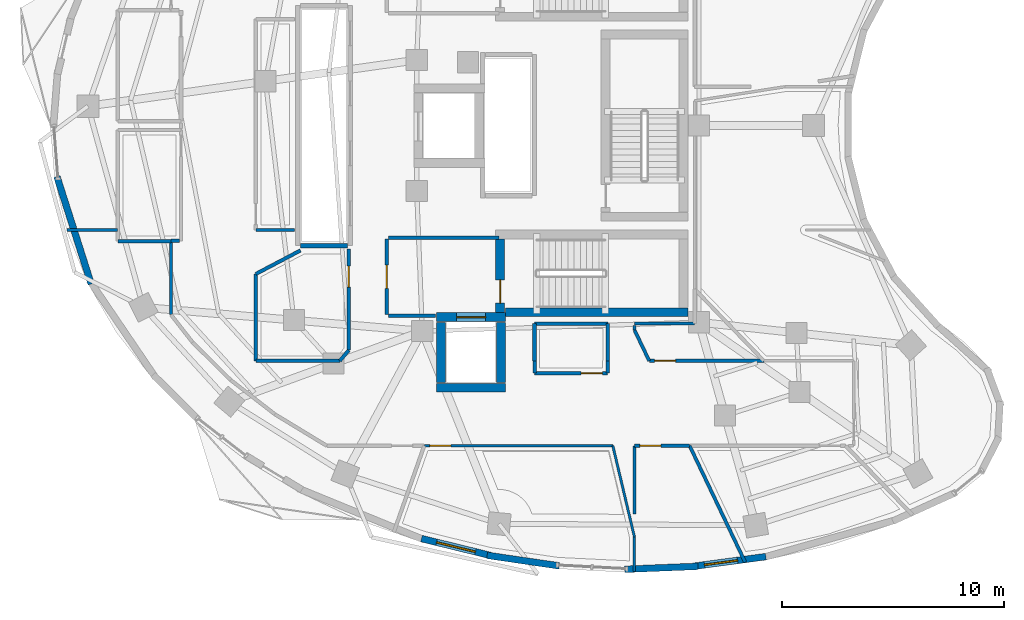
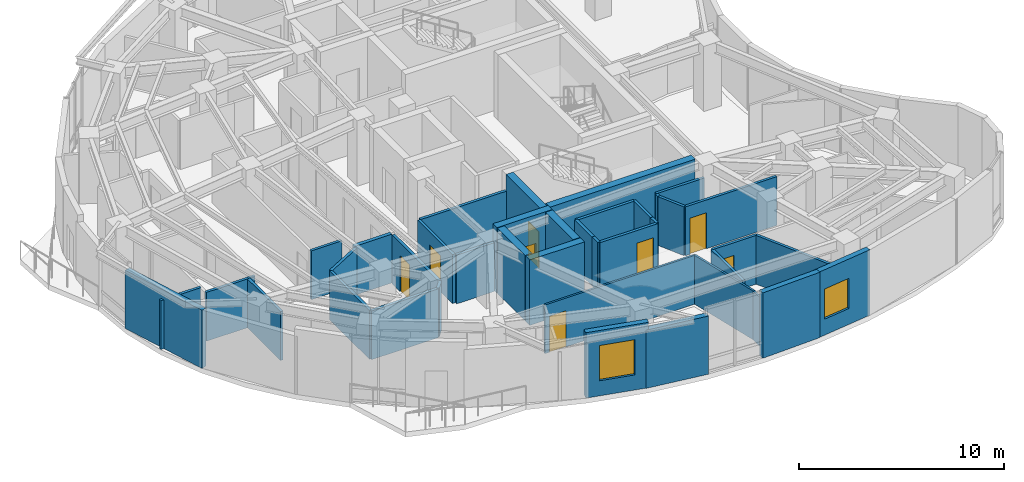
# One storey, part 7 of 13: 41 walls, 8 doors, 2 windows, 10 openings.
"""IFC4 building model written with IfcOpenShell, lengths in metres."""

from ifc_helpers import new_model, si_unit, direction, frame, frame_2d, origin, place, context, subcontext, project, spatial, rectangle, extrude, material, layer, layer_set, type_object, element, fill, save


model = new_model("IFC4")

# Units and contexts
model_context = context("Model", 3, precision=1e-05, world=origin(), true_north=direction((0.0, 1.0)))
body_context = subcontext(model_context, "Body", "Model", "MODEL_VIEW")
ifc_project = project(units=[si_unit("LENGTHUNIT", "METRE"), si_unit("AREAUNIT", "SQUARE_METRE"), si_unit("VOLUMEUNIT", "CUBIC_METRE"), si_unit("PLANEANGLEUNIT", "RADIAN"), si_unit("MASSUNIT", "GRAM", prefix="KILO")], contexts=[model_context])

# Site, building, storey
site_placement = place(None, origin())
site = spatial("IfcSite", under=ifc_project, at=site_placement, CompositionType="ELEMENT")
building_placement = place(site_placement, origin())
building = spatial("IfcBuilding", under=site, at=building_placement, Name="Korentha Bioscience Tower", CompositionType="ELEMENT")
storey_placement = place(building_placement, frame((0.0, 0.0, 204.60009765625)))
storey = spatial("IfcBuildingStorey", under=building, at=storey_placement, Name="L47", CompositionType="ELEMENT", Elevation=204.60009765625)

# Wall, opening, door
ifc_material_1 = material(Name="Double-Stud Acoustic Gypsum", Category="gypsum")
ifc_layer_1 = layer(ifc_material_1, 0.14990234375, Name="Double-Stud Acoustic Gypsum")
ifc_layer_set_1 = layer_set([ifc_layer_1], Name="Double-Stud Acoustic Gypsum (IW-L150)")
wall_type_1 = type_object("IfcWallType", Name="Acoustic Laboratory Partition Wall 150", PredefinedType="PARTITIONING", material=ifc_layer_set_1)
wall_1_placement = place(storey_placement, frame((34.652099609375, 12.590087890625, 0.0), z_axis=(0.0, 0.0, 1.0), x_axis=(1.0, 0.0, 0.0)))
wall_1 = element("IfcWall", 1, at=wall_1_placement, inside=storey, type_object=wall_type_1, Name="L47 Research Colloquium Seminar Room 04 Entrance Wall", PredefinedType="PARTITIONING", context=body_context, shape_type="SweptSolid", body=[
    extrude(rectangle(XDim=2.480224609375, YDim=0.14990234375, at=frame_2d((1.240234375, 0.0))), origin(), (0.0, 0.0, 1.0), 2.909912109375),
])
opening_1_placement = place(wall_1_placement, frame((0.239990234375, 0.0, 0.0)))
opening_1 = element("IfcOpeningElement", 2, at=opening_1_placement, cuts=wall_1, Name="Opening ID-10L", PredefinedType="OPENING", context=body_context, shape_type="SweptSolid", body=[
    extrude(rectangle(XDim=0.949951171875, YDim=2.14990234375, at=frame_2d((0.47509765625, 1.074951171875))), frame((0.0, 0.08984375, 0.0), z_axis=(0.0, -1.0, 0.0), x_axis=(1.0, 0.0, 0.0)), (0.0, 0.0, 1.0), 0.1796875),
])
ifc_material_2 = material(Name="Phenolic Laminate Timber Core", Category="wood")
door_type_1 = type_object("IfcDoorType", Name="Laboratory Single Leaf Door 950x2150 Left", OperationType="SINGLE_SWING_LEFT", PredefinedType="DOOR", material=ifc_material_2)
door_1_placement = place(opening_1_placement, origin())
door_1 = element("IfcDoor", 3, at=door_1_placement, inside=storey, type_object=door_type_1, Name="L47 Research Colloquium Seminar Room 04 Door", OperationType="SINGLE_SWING_LEFT", OverallHeight=2.14990234375, OverallWidth=0.949951171875, PredefinedType="DOOR", context=body_context, shape_type="SweptSolid", body=[
    extrude(rectangle(XDim=0.949951171875, YDim=2.14990234375, at=frame_2d((0.47509765625, 1.074951171875))), frame((0.0, 0.02490234375, 0.0), z_axis=(0.0, -1.0, 0.0), x_axis=(1.0, 0.0, 0.0)), (0.0, 0.0, 1.0), 0.050048828125),
])
fill(opening_1, door_1)

wall_2_placement = place(storey_placement, frame((40.47216796875, 16.409912109375, 0.0), z_axis=(0.0, 0.0, 1.0), x_axis=(-1.0, 0.0, 0.0)))
wall_2 = element("IfcWall", 4, at=wall_2_placement, inside=storey, type_object=wall_type_1, Name="L47 Computational Biology Open Studio 06 Entrance Wall", PredefinedType="PARTITIONING", context=body_context, shape_type="SweptSolid", body=[
    extrude(rectangle(XDim=5.157470703125, YDim=0.14990234375, at=frame_2d((2.57861328125, 0.0))), origin(), (0.0, 0.0, 1.0), 2.909912109375),
])
opening_2_placement = place(wall_2_placement, frame((3.967529296875, 0.0, 0.0)))
opening_2 = element("IfcOpeningElement", 5, at=opening_2_placement, cuts=wall_2, Name="Opening ID-10L", PredefinedType="OPENING", context=body_context, shape_type="SweptSolid", body=[
    extrude(rectangle(XDim=0.949951171875, YDim=2.14990234375, at=frame_2d((0.47509765625, 1.074951171875))), frame((0.0, 0.08984375, 0.0), z_axis=(0.0, -1.0, 0.0), x_axis=(1.0, 0.0, 0.0)), (0.0, 0.0, 1.0), 0.1796875),
])
door_2_placement = place(opening_2_placement, origin())
door_2 = element("IfcDoor", 6, at=door_2_placement, inside=storey, type_object=door_type_1, Name="L47 Computational Biology Open Studio 06 Door", OperationType="SINGLE_SWING_LEFT", OverallHeight=2.14990234375, OverallWidth=0.949951171875, PredefinedType="DOOR", context=body_context, shape_type="SweptSolid", body=[
    extrude(rectangle(XDim=0.949951171875, YDim=2.14990234375, at=frame_2d((0.47509765625, 1.074951171875))), frame((0.0, 0.02490234375, 0.0), z_axis=(0.0, -1.0, 0.0), x_axis=(1.0, 0.0, 0.0)), (0.0, 0.0, 1.0), 0.050048828125),
])
fill(opening_2, door_2)

# Walls
wall_3_placement = place(storey_placement, frame((14.162109375, 21.81005859375, 0.0), z_axis=(0.0, 0.0, 1.0), x_axis=(-1.0, 0.0, 0.0)))
element("IfcWall", 7, at=wall_3_placement, inside=storey, type_object=wall_type_1, Name="L47 Interior Partition 025", PredefinedType="PARTITIONING", context=body_context, shape_type="SweptSolid", body=[
    extrude(rectangle(XDim=0.362060546875, YDim=0.14990234375, at=frame_2d((0.18115234375, 0.0))), origin(), (0.0, 0.0, 1.0), 2.909912109375),
])
wall_4_placement = place(storey_placement, frame((13.7900390625, 21.800048828125, 0.0), z_axis=(0.0, 0.0, 1.0), x_axis=(-1.0, 0.0, 0.0)))
element("IfcWall", 8, at=wall_4_placement, inside=storey, type_object=wall_type_1, Name="L47 Interior Partition 026", PredefinedType="PARTITIONING", context=body_context, shape_type="SweptSolid", body=[
    extrude(rectangle(XDim=2.39013671875, YDim=0.14990234375, at=frame_2d((1.195068359375, 0.0))), origin(), (0.0, 0.0, 1.0), 2.909912109375),
])
wall_5_placement = place(storey_placement, frame((9.11865234375, 22.298095703125, 0.0), z_axis=(0.0, 0.0, 1.0), x_axis=(1.0, 0.0, 0.0)))
element("IfcWall", 9, at=wall_5_placement, inside=storey, type_object=wall_type_1, Name="L47 Interior Partition 037", PredefinedType="PARTITIONING", context=body_context, shape_type="SweptSolid", body=[
    extrude(rectangle(XDim=2.271240234375, YDim=0.14990234375, at=frame_2d((1.1357421875, 0.0))), origin(), (0.0, 0.0, 1.0), 2.909912109375),
])
wall_6_placement = place(storey_placement, frame((13.7900390625, 21.7900390625, 0.0), z_axis=(0.0, 0.0, 1.0), x_axis=(0.0, -1.0, 0.0)))
element("IfcWall", 10, at=wall_6_placement, inside=storey, type_object=wall_type_1, Name="L47 Interior Partition 038", PredefinedType="PARTITIONING", context=body_context, shape_type="SweptSolid", body=[
    extrude(rectangle(XDim=3.2978515625, YDim=0.14990234375, at=frame_2d((1.64892578125, 0.0))), origin(), (0.0, 0.0, 1.0), 2.909912109375),
])
wall_7_placement = place(storey_placement, frame((34.652099609375, 9.510498046875, 0.0), z_axis=(0.0, 0.0, 1.0), x_axis=(0.0, 1.0, 0.0)))
element("IfcWall", 11, at=wall_7_placement, inside=storey, type_object=wall_type_1, Name="L47 Interior Partition 047", PredefinedType="PARTITIONING", context=body_context, shape_type="SweptSolid", body=[
    extrude(rectangle(XDim=3.07958984375, YDim=0.14990234375, at=frame_2d((1.539794921875, 0.0))), origin(), (0.0, 0.0, 1.0), 2.909912109375),
])
wall_8_placement = place(storey_placement, frame((37.13232421875, 12.590087890625, 0.0), z_axis=(0.0, 0.0, 1.0), x_axis=(0.430506245384, -0.902587598344, 0.0)))
element("IfcWall", 12, at=wall_8_placement, inside=storey, type_object=wall_type_1, Name="L47 Interior Partition 048", PredefinedType="PARTITIONING", context=body_context, shape_type="SweptSolid", body=[
    extrude(rectangle(XDim=5.8076171875, YDim=0.14990234375, at=frame_2d((2.90380859375, 0.0))), origin(), (0.0, 0.0, 1.0), 2.909912109375),
])
wall_9_placement = place(storey_placement, frame((34.652099609375, 17.79931640625, 0.0), z_axis=(0.0, 0.0, 1.0), x_axis=(0.0, 1.0, 0.0)))
element("IfcWall", 13, at=wall_9_placement, inside=storey, type_object=wall_type_1, Name="L47 Interior Partition 050", PredefinedType="PARTITIONING", context=body_context, shape_type="SweptSolid", body=[
    extrude(rectangle(XDim=0.212646484375, YDim=0.14990234375, at=frame_2d((0.1064453125, 0.0))), origin(), (0.0, 0.0, 1.0), 2.909912109375),
])
wall_10_placement = place(storey_placement, frame((34.652099609375, 18.090087890625, 0.0), z_axis=(0.0, 0.0, 1.0), x_axis=(1.0, 0.0, 0.0)))
element("IfcWall", 14, at=wall_10_placement, inside=storey, type_object=wall_type_1, Name="L47 Interior Partition 051", PredefinedType="PARTITIONING", context=body_context, shape_type="SweptSolid", body=[
    extrude(rectangle(XDim=2.697998046875, YDim=0.14990234375, at=frame_2d((1.34912109375, 0.0))), origin(), (0.0, 0.0, 1.0), 2.909912109375),
])
wall_11_placement = place(storey_placement, frame((35.314697265625, 16.409912109375, 0.0), z_axis=(0.0, 0.0, 1.0), x_axis=(-0.430450657863, 0.902614109764, 0.0)))
element("IfcWall", 15, at=wall_11_placement, inside=storey, type_object=wall_type_1, Name="L47 Interior Partition 054", PredefinedType="PARTITIONING", context=body_context, shape_type="SweptSolid", body=[
    extrude(rectangle(XDim=1.539306640625, YDim=0.14990234375, at=frame_2d((0.76953125, 0.0))), origin(), (0.0, 0.0, 1.0), 2.909912109375),
])
wall_12_placement = place(storey_placement, frame((19.33984375, 22.302001953125, 0.0), z_axis=(0.0, 0.0, 1.0), x_axis=(-1.0, 0.0, 0.0)))
element("IfcWall", 16, at=wall_12_placement, inside=storey, type_object=wall_type_1, Name="L47 Interior Partition 085", PredefinedType="PARTITIONING", context=body_context, shape_type="SweptSolid", body=[
    extrude(rectangle(XDim=1.729736328125, YDim=0.14990234375, at=frame_2d((0.86474609375, 0.0))), origin(), (0.0, 0.0, 1.0), 2.909912109375),
])

# Wall, opening, door
ifc_material_3 = material(Name="Fire-Rated Framed Glass", Category="glass")
ifc_layer_2 = layer(ifc_material_3, 0.110107421875, Name="Fire-Rated Framed Glass")
ifc_layer_set_2 = layer_set([ifc_layer_2], Name="Fire-Rated Framed Glass (IW-G110)")
wall_type_2 = type_object("IfcWallType", Name="Demountable Glazed Office Partition 110", PredefinedType="MOVABLE", material=ifc_layer_set_2)
wall_13_placement = place(storey_placement, frame((25.197265625, 12.590087890625, 0.0), z_axis=(0.0, 0.0, 1.0), x_axis=(1.0, 0.0, 0.0)))
wall_13 = element("IfcWall", 17, at=wall_13_placement, inside=storey, type_object=wall_type_2, Name="L47 Principal Investigator Office 03 Entrance Wall", PredefinedType="MOVABLE", context=body_context, shape_type="SweptSolid", body=[
    extrude(rectangle(XDim=8.47802734375, YDim=0.110107421875, at=frame_2d((4.239013671875, 0.0))), origin(), (0.0, 0.0, 1.0), 2.909912109375),
])
opening_3_placement = place(wall_13_placement, frame((0.239990234375, 0.0, 0.0)))
opening_3 = element("IfcOpeningElement", 18, at=opening_3_placement, cuts=wall_13, Name="Opening ID-10R", PredefinedType="OPENING", context=body_context, shape_type="SweptSolid", body=[
    extrude(rectangle(XDim=0.949951171875, YDim=2.14990234375, at=frame_2d((0.47509765625, 1.074951171875))), frame((0.0, 0.06982421875, 0.0), z_axis=(0.0, -1.0, 0.0), x_axis=(1.0, 0.0, 0.0)), (0.0, 0.0, 1.0), 0.139892578125),
])
door_type_2 = type_object("IfcDoorType", Name="Laboratory Single Leaf Door 950x2150 Right", OperationType="SINGLE_SWING_RIGHT", PredefinedType="DOOR", material=ifc_material_2)
door_3_placement = place(opening_3_placement, origin())
door_3 = element("IfcDoor", 19, at=door_3_placement, inside=storey, type_object=door_type_2, Name="L47 Principal Investigator Office 03 Door", OperationType="SINGLE_SWING_RIGHT", OverallHeight=2.14990234375, OverallWidth=0.949951171875, PredefinedType="DOOR", context=body_context, shape_type="SweptSolid", body=[
    extrude(rectangle(XDim=0.949951171875, YDim=2.14990234375, at=frame_2d((0.47509765625, 1.074951171875))), frame((0.0, 0.02490234375, 0.0), z_axis=(0.0, -1.0, 0.0), x_axis=(1.0, 0.0, 0.0)), (0.0, 0.0, 1.0), 0.050048828125),
])
fill(opening_3, door_3)

# Walls
wall_14_placement = place(storey_placement, frame((34.64794921875, 8.486572265625, 0.0), z_axis=(0.0, 0.0, 1.0), x_axis=(0.0, -1.0, 0.0)))
element("IfcWall", 20, at=wall_14_placement, inside=storey, type_object=wall_type_2, Name="L47 Interior Partition 044", PredefinedType="MOVABLE", context=body_context, shape_type="SweptSolid", body=[
    extrude(rectangle(XDim=1.558837890625, YDim=0.110107421875, at=frame_2d((0.779296875, 0.0))), origin(), (0.0, 0.0, 1.0), 2.909912109375),
])
wall_15_placement = place(storey_placement, frame((33.67529296875, 12.590087890625, 0.0), z_axis=(0.0, 0.0, 1.0), x_axis=(0.230652477901, -0.973036193797, 0.0)))
element("IfcWall", 21, at=wall_15_placement, inside=storey, type_object=wall_type_2, Name="L47 Interior Partition 045", PredefinedType="MOVABLE", context=body_context, shape_type="SweptSolid", body=[
    extrude(rectangle(XDim=4.217041015625, YDim=0.110107421875, at=frame_2d((2.1083984375, 0.0))), origin(), (0.0, 0.0, 1.0), 2.909912109375),
])

# Wall, opening, door
ifc_material_4 = material(Name="Gypsum-Clad Steel Stud", Category="steel")
ifc_layer_3 = layer(ifc_material_4, 0.159912109375, Name="Gypsum-Clad Steel Stud")
ifc_layer_set_3 = layer_set([ifc_layer_3], Name="Gypsum-Clad Steel Stud (IW-C160)")
wall_type_3 = type_object("IfcWallType", Name="Fire-Rated Corridor Partition Wall 160", PredefinedType="PARTITIONING", material=ifc_layer_set_3)
wall_16_placement = place(storey_placement, frame((23.5, 18.5, 0.0), z_axis=(0.0, 0.0, 1.0), x_axis=(0.0, 1.0, 0.0)))
wall_16 = element("IfcWall", 22, at=wall_16_placement, inside=storey, type_object=wall_type_3, Name="L47 FFLS-CW Rated Enclosure Wall", PredefinedType="PARTITIONING", context=body_context, shape_type="SweptSolid", body=[
    extrude(rectangle(XDim=3.39990234375, YDim=0.159912109375, at=frame_2d((1.699951171875, 0.0))), origin(), (0.0, 0.0, 1.0), 2.909912109375),
])
opening_4_placement = place(wall_16_placement, frame((1.175048828125, 0.0, 0.0)))
opening_4 = element("IfcOpeningElement", 23, at=opening_4_placement, cuts=wall_16, Name="Opening FD-90R", PredefinedType="OPENING", context=body_context, shape_type="SweptSolid", body=[
    extrude(rectangle(XDim=1.050048828125, YDim=2.14990234375, at=frame_2d((0.52490234375, 1.074951171875))), frame((0.0, 0.0947265625, 0.0), z_axis=(0.0, -1.0, 0.0), x_axis=(1.0, 0.0, 0.0)), (0.0, 0.0, 1.0), 0.189697265625),
])
ifc_material_5 = material(Name="Powder-Coated Fire-Rated Steel", Category="steel")
door_type_3 = type_object("IfcDoorType", Name="Stairwell Fire Exit Door 1050x2150 Right", OperationType="SINGLE_SWING_RIGHT", PredefinedType="DOOR", material=ifc_material_5)
door_4_placement = place(opening_4_placement, origin())
door_4 = element("IfcDoor", 24, at=door_4_placement, inside=storey, type_object=door_type_3, Name="L47 South Firefighting Lobby Door", OperationType="SINGLE_SWING_RIGHT", OverallHeight=2.14990234375, OverallWidth=1.050048828125, PredefinedType="DOOR", context=body_context, shape_type="SweptSolid", body=[
    extrude(rectangle(XDim=1.050048828125, YDim=2.14990234375, at=frame_2d((0.52490234375, 1.074951171875))), frame((0.0, 0.02490234375, 0.0), z_axis=(0.0, -1.0, 0.0), x_axis=(1.0, 0.0, 0.0)), (0.0, 0.0, 1.0), 0.050048828125),
])
fill(opening_4, door_4)

# Walls
wall_17_placement = place(storey_placement, frame((23.580078125, 21.949951171875, 0.0), z_axis=(0.0, 0.0, 1.0), x_axis=(1.0, 0.0, 0.0)))
element("IfcWall", 25, at=wall_17_placement, inside=storey, type_object=wall_type_3, Name="L47 Firefighting Lobby Return Wall FFLS-N", PredefinedType="PARTITIONING", context=body_context, shape_type="SweptSolid", body=[
    extrude(rectangle(XDim=4.969970703125, YDim=0.159912109375, at=frame_2d((2.48486328125, 0.0))), origin(), (0.0, 0.0, 1.0), 2.909912109375),
])
wall_18_placement = place(storey_placement, frame((23.580078125, 18.449951171875, 0.0), z_axis=(0.0, 0.0, 1.0), x_axis=(1.0, 0.0, 0.0)))
element("IfcWall", 26, at=wall_18_placement, inside=storey, type_object=wall_type_3, Name="L47 Firefighting Lobby Return Wall FFLS-S", PredefinedType="PARTITIONING", context=body_context, shape_type="SweptSolid", body=[
    extrude(rectangle(XDim=2.119873046875, YDim=0.159912109375, at=frame_2d((1.06005859375, 0.0))), origin(), (0.0, 0.0, 1.0), 2.909912109375),
])

# Wall, opening, door
wall_19_placement = place(storey_placement, frame((33.43994140625, 15.860107421875, 0.0), z_axis=(0.0, 0.0, 1.0), x_axis=(-1.0, 0.0, 0.0)))
wall_19 = element("IfcWall", 27, at=wall_19_placement, inside=storey, type_object=wall_type_3, Name="L47 Core Instrumentation and Gas Store Entrance Wall", PredefinedType="PARTITIONING", context=body_context, shape_type="SweptSolid", body=[
    extrude(rectangle(XDim=3.280029296875, YDim=0.159912109375, at=frame_2d((1.64013671875, 0.0))), origin(), (0.0, 0.0, 1.0), 2.909912109375),
])
opening_5_placement = place(wall_19_placement, frame((0.239990234375, 0.0, 0.0)))
opening_5 = element("IfcOpeningElement", 28, at=opening_5_placement, cuts=wall_19, Name="Opening ID-10R", PredefinedType="OPENING", context=body_context, shape_type="SweptSolid", body=[
    extrude(rectangle(XDim=0.949951171875, YDim=2.14990234375, at=frame_2d((0.47509765625, 1.074951171875))), frame((0.0, 0.0947265625, 0.0), z_axis=(0.0, -1.0, 0.0), x_axis=(1.0, 0.0, 0.0)), (0.0, 0.0, 1.0), 0.189697265625),
])
door_5_placement = place(opening_5_placement, origin())
door_5 = element("IfcDoor", 29, at=door_5_placement, inside=storey, type_object=door_type_2, Name="L47 Core Instrumentation and Gas Store Door", OperationType="SINGLE_SWING_RIGHT", OverallHeight=2.14990234375, OverallWidth=0.949951171875, PredefinedType="DOOR", context=body_context, shape_type="SweptSolid", body=[
    extrude(rectangle(XDim=0.949951171875, YDim=2.14990234375, at=frame_2d((0.47509765625, 1.074951171875))), frame((0.0, 0.02490234375, 0.0), z_axis=(0.0, -1.0, 0.0), x_axis=(1.0, 0.0, 0.0)), (0.0, 0.0, 1.0), 0.050048828125),
])
fill(opening_5, door_5)

wall_20_placement = place(storey_placement, frame((21.7900390625, 21.43994140625, 0.0), z_axis=(0.0, 0.0, 1.0), x_axis=(0.0, -1.0, 0.0)))
wall_20 = element("IfcWall", 30, at=wall_20_placement, inside=storey, type_object=wall_type_3, Name="L47 Biospecimen Archive Store 01 Entrance Wall", PredefinedType="PARTITIONING", context=body_context, shape_type="SweptSolid", body=[
    extrude(rectangle(XDim=4.548828125, YDim=0.159912109375, at=frame_2d((2.2744140625, 0.0))), origin(), (0.0, 0.0, 1.0), 2.909912109375),
])
opening_6_placement = place(wall_20_placement, frame((0.760986328125, 0.0, 0.0)))
opening_6 = element("IfcOpeningElement", 31, at=opening_6_placement, cuts=wall_20, Name="Opening ID-10R", PredefinedType="OPENING", context=body_context, shape_type="SweptSolid", body=[
    extrude(rectangle(XDim=0.949951171875, YDim=2.14990234375, at=frame_2d((0.47509765625, 1.074951171875))), frame((0.0, 0.0947265625, 0.0), z_axis=(0.0, -1.0, 0.0), x_axis=(1.0, 0.0, 0.0)), (0.0, 0.0, 1.0), 0.189697265625),
])
door_6_placement = place(opening_6_placement, origin())
door_6 = element("IfcDoor", 32, at=door_6_placement, inside=storey, type_object=door_type_2, Name="L47 Biospecimen Archive Store 01 Door", OperationType="SINGLE_SWING_RIGHT", OverallHeight=2.14990234375, OverallWidth=0.949951171875, PredefinedType="DOOR", context=body_context, shape_type="SweptSolid", body=[
    extrude(rectangle(XDim=0.949951171875, YDim=2.14990234375, at=frame_2d((0.47509765625, 1.074951171875))), frame((0.0, 0.02490234375, 0.0), z_axis=(0.0, -1.0, 0.0), x_axis=(1.0, 0.0, 0.0)), (0.0, 0.0, 1.0), 0.050048828125),
])
fill(opening_6, door_6)

# Walls
for number, where, z_axis, x_axis, name in (
    (33, (33.43994140625, 16.39990234375, 0.0), (0.0, 0.0, 1.0), (0.0, -1.0, 0.0), "L47 Interior Partition 018"),
    (34, (30.159912109375, 15.860107421875, 0.0), (0.0, 0.0, 1.0), (0.0, 1.0, 0.0), "L47 Interior Partition 019"),
):
    element("IfcWall", number, at=place(storey_placement, frame(where, z_axis=z_axis, x_axis=x_axis)), inside=storey, type_object=wall_type_3, Name=name, PredefinedType="PARTITIONING", context=body_context, shape_type="SweptSolid", body=[
        extrude(rectangle(XDim=0.539794921875, YDim=0.159912109375, at=frame_2d((0.27001953125, 0.0))), origin(), (0.0, 0.0, 1.0), 2.909912109375),
    ])
wall_21_placement = place(storey_placement, frame((30.14990234375, 16.409912109375, 0.0), z_axis=(0.0, 0.0, 1.0), x_axis=(0.0, 1.0, 0.0)))
element("IfcWall", 35, at=wall_21_placement, inside=storey, type_object=wall_type_3, Name="L47 Interior Partition 020", PredefinedType="PARTITIONING", context=body_context, shape_type="SweptSolid", body=[
    extrude(rectangle(XDim=1.68017578125, YDim=0.159912109375, at=frame_2d((0.840087890625, 0.0))), origin(), (0.0, 0.0, 1.0), 2.909912109375),
])
wall_22_placement = place(storey_placement, frame((30.14990234375, 18.090087890625, 0.0), z_axis=(0.0, 0.0, 1.0), x_axis=(1.0, 0.0, 0.0)))
element("IfcWall", 36, at=wall_22_placement, inside=storey, type_object=wall_type_3, Name="L47 Interior Partition 021", PredefinedType="PARTITIONING", context=body_context, shape_type="SweptSolid", body=[
    extrude(rectangle(XDim=3.300048828125, YDim=0.159912109375, at=frame_2d((1.64990234375, 0.0))), origin(), (0.0, 0.0, 1.0), 2.909912109375),
])
wall_23_placement = place(storey_placement, frame((33.449951171875, 18.090087890625, 0.0), z_axis=(0.0, 0.0, 1.0), x_axis=(0.0, -1.0, 0.0)))
element("IfcWall", 37, at=wall_23_placement, inside=storey, type_object=wall_type_3, Name="L47 Interior Partition 022", PredefinedType="PARTITIONING", context=body_context, shape_type="SweptSolid", body=[
    extrude(rectangle(XDim=1.68017578125, YDim=0.159912109375, at=frame_2d((0.840087890625, 0.0))), origin(), (0.0, 0.0, 1.0), 2.909912109375),
])
wall_24_placement = place(storey_placement, frame((21.7900390625, 16.89111328125, 0.0), z_axis=(0.0, 0.0, 1.0), x_axis=(-0.6421333912, -0.766592921899, 0.0)))
element("IfcWall", 38, at=wall_24_placement, inside=storey, type_object=wall_type_3, Name="L47 Interior Partition 033", PredefinedType="PARTITIONING", context=body_context, shape_type="SweptSolid", body=[
    extrude(rectangle(XDim=0.627685546875, YDim=0.159912109375, at=frame_2d((0.31396484375, 0.0))), origin(), (0.0, 0.0, 1.0), 2.909912109375),
])
wall_25_placement = place(storey_placement, frame((21.386962890625, 16.409912109375, 0.0), z_axis=(0.0, 0.0, 1.0), x_axis=(-1.0, 0.0, 0.0)))
element("IfcWall", 39, at=wall_25_placement, inside=storey, type_object=wall_type_3, Name="L47 Interior Partition 034", PredefinedType="PARTITIONING", context=body_context, shape_type="SweptSolid", body=[
    extrude(rectangle(XDim=3.77685546875, YDim=0.159912109375, at=frame_2d((1.888427734375, 0.0))), origin(), (0.0, 0.0, 1.0), 2.909912109375),
])
wall_26_placement = place(storey_placement, frame((17.610107421875, 16.409912109375, 0.0), z_axis=(0.0, 0.0, 1.0), x_axis=(0.0, 1.0, 0.0)))
element("IfcWall", 40, at=wall_26_placement, inside=storey, type_object=wall_type_3, Name="L47 Interior Partition 035", PredefinedType="PARTITIONING", context=body_context, shape_type="SweptSolid", body=[
    extrude(rectangle(XDim=3.912353515625, YDim=0.159912109375, at=frame_2d((1.9560546875, 0.0))), origin(), (0.0, 0.0, 1.0), 2.909912109375),
])
wall_27_placement = place(storey_placement, frame((17.610107421875, 20.322265625, 0.0), z_axis=(0.0, 0.0, 1.0), x_axis=(0.884437714556, 0.466658257261, 0.0)))
element("IfcWall", 41, at=wall_27_placement, inside=storey, type_object=wall_type_3, Name="L47 Interior Partition 036", PredefinedType="PARTITIONING", context=body_context, shape_type="SweptSolid", body=[
    extrude(rectangle(XDim=2.272705078125, YDim=0.159912109375, at=frame_2d((1.13623046875, 0.0))), origin(), (0.0, 0.0, 1.0), 2.909912109375),
])

# Wall, opening, window
ifc_material_6 = material(Name="Honed Limestone Precast Concrete C40", Category="masonry")
ifc_layer_4 = layer(ifc_material_6, 0.300048828125, Name="Honed Limestone Precast Concrete C40")
ifc_layer_set_4 = layer_set([ifc_layer_4], Name="Honed Limestone Precast Concrete C40 (EW-ST300)")
wall_type_4 = type_object("IfcWallType", Name="Honed Limestone Cavity Spandrel Wall 300", PredefinedType="STANDARD", material=ifc_layer_set_4)
wall_28_placement = place(storey_placement, frame((25.063232421875, 8.412109375, 0.0), z_axis=(0.0, 0.0, 1.0), x_axis=(0.971262421812, -0.238011150948, 0.0)))
wall_28 = element("IfcWall", 42, at=wall_28_placement, inside=storey, type_object=wall_type_4, Name="L47 Honed Limestone Spandrel Wall 29", PredefinedType="STANDARD", context=body_context, shape_type="SweptSolid", body=[
    extrude(rectangle(XDim=3.201416015625, YDim=0.300048828125, at=frame_2d((1.6005859375, 0.0))), origin(), (0.0, 0.0, 1.0), 3.89990234375),
])
opening_7_placement = place(wall_28_placement, frame((0.70068359375, 0.0, 0.89990234375)))
opening_7 = element("IfcOpeningElement", 43, at=opening_7_placement, cuts=wall_28, Name="Opening WN-01", PredefinedType="OPENING", context=body_context, shape_type="SweptSolid", body=[
    extrude(rectangle(XDim=1.800048828125, YDim=2.10009765625, at=frame_2d((0.89990234375, 1.050048828125))), frame((0.0, 0.1650390625, 0.0), z_axis=(0.0, -1.0, 0.0), x_axis=(1.0, 0.0, 0.0)), (0.0, 0.0, 1.0), 0.329833984375),
])
ifc_material_7 = material(Name="Thermally Broken Aluminium Triple Glazing", Category="aluminium")
window_type_1 = type_object("IfcWindowType", Name="Triple-Glazed Fixed Bioscience Window 1800x2100", PartitioningType="SINGLE_PANEL", PredefinedType="WINDOW", material=ifc_material_7)
window_1_placement = place(opening_7_placement, origin())
window_1 = element("IfcWindow", 44, at=window_1_placement, inside=storey, type_object=window_type_1, Name="L47 Facade Window 29", OverallHeight=2.10009765625, OverallWidth=1.800048828125, PartitioningType="SINGLE_PANEL", PredefinedType="WINDOW", context=body_context, shape_type="SweptSolid", body=[
    extrude(rectangle(XDim=1.800048828125, YDim=2.10009765625, at=frame_2d((0.89990234375, 1.050048828125))), frame((0.0, 0.030029296875, 0.0), z_axis=(0.0, -1.0, 0.0), x_axis=(1.0, 0.0, 0.0)), (0.0, 0.0, 1.0), 0.06005859375),
])
fill(opening_7, window_1)

wall_29_placement = place(storey_placement, frame((37.3515625, 7.17041015625, 0.0), z_axis=(0.0, 0.0, 1.0), x_axis=(0.991126983618, 0.132918404839, 0.0)))
wall_29 = element("IfcWall", 45, at=wall_29_placement, inside=storey, type_object=wall_type_4, Name="L47 Honed Limestone Spandrel Wall 33", PredefinedType="STANDARD", context=body_context, shape_type="SweptSolid", body=[
    extrude(rectangle(XDim=3.241943359375, YDim=0.300048828125, at=frame_2d((1.62109375, 0.0))), origin(), (0.0, 0.0, 1.0), 3.89990234375),
])
opening_8_placement = place(wall_29_placement, frame((0.453857421875, 0.0, 0.949951171875)))
opening_8 = element("IfcOpeningElement", 46, at=opening_8_placement, cuts=wall_29, Name="Opening WN-02", PredefinedType="OPENING", context=body_context, shape_type="SweptSolid", body=[
    extrude(rectangle(XDim=1.5, YDim=1.800048828125, at=frame_2d((0.75, 0.89990234375))), frame((0.0, 0.1650390625, 0.0), z_axis=(0.0, -1.0, 0.0), x_axis=(1.0, 0.0, 0.0)), (0.0, 0.0, 1.0), 0.329833984375),
])
window_type_2 = type_object("IfcWindowType", Name="Acoustic Operable Office Window 1500x1800", PartitioningType="DOUBLE_PANEL_VERTICAL", PredefinedType="WINDOW", material=ifc_material_7)
window_2_placement = place(opening_8_placement, origin())
window_2 = element("IfcWindow", 47, at=window_2_placement, inside=storey, type_object=window_type_2, Name="L47 Facade Window 33", OverallHeight=1.800048828125, OverallWidth=1.5, PartitioningType="DOUBLE_PANEL_VERTICAL", PredefinedType="WINDOW", context=body_context, shape_type="SweptSolid", body=[
    extrude(rectangle(XDim=1.5, YDim=1.800048828125, at=frame_2d((0.75, 0.89990234375))), frame((0.0, 0.030029296875, 0.0), z_axis=(0.0, -1.0, 0.0), x_axis=(1.0, 0.0, 0.0)), (0.0, 0.0, 1.0), 0.06005859375),
])
fill(opening_8, window_2)

# Walls
wall_30_placement = place(storey_placement, frame((8.656494140625, 24.70703125, 0.0), z_axis=(0.0, 0.0, 1.0), x_axis=(0.30372166002, -0.952760805887, 0.0)))
element("IfcWall", 48, at=wall_30_placement, inside=storey, type_object=wall_type_4, Name="L47 Limestone Perimeter Closure Wall 20", PredefinedType="STANDARD", context=body_context, shape_type="SweptSolid", body=[
    extrude(rectangle(XDim=5.076904296875, YDim=0.300048828125, at=frame_2d((2.53857421875, 0.0))), origin(), (0.0, 0.0, 1.0), 3.469970703125),
])
wall_31_placement = place(storey_placement, frame((28.017333984375, 7.6591796875, 0.0), z_axis=(0.0, 0.0, 1.0), x_axis=(0.989444403328, -0.144912983283, 0.0)))
element("IfcWall", 49, at=wall_31_placement, inside=storey, type_object=wall_type_4, Name="L47 Limestone Perimeter Closure Wall 30", PredefinedType="STANDARD", context=body_context, shape_type="SweptSolid", body=[
    extrude(rectangle(XDim=3.278564453125, YDim=0.300048828125, at=frame_2d((1.63916015625, 0.0))), origin(), (0.0, 0.0, 1.0), 3.469970703125),
])
wall_32_placement = place(storey_placement, frame((34.2099609375, 7.030029296875, 0.0), z_axis=(0.0, 0.0, 1.0), x_axis=(0.999186472466, 0.040328566059, 0.0)))
element("IfcWall", 50, at=wall_32_placement, inside=storey, type_object=wall_type_4, Name="L47 Limestone Perimeter Closure Wall 32", PredefinedType="STANDARD", context=body_context, shape_type="SweptSolid", body=[
    extrude(rectangle(XDim=3.29931640625, YDim=0.300048828125, at=frame_2d((1.649658203125, 0.0))), origin(), (0.0, 0.0, 1.0), 3.89990234375),
])
ifc_material_8 = material(Name="Autoclaved Aerated Concrete Block C25", Category="concrete")
ifc_layer_5 = layer(ifc_material_8, 0.199951171875, Name="Autoclaved Aerated Concrete Block C25")
ifc_layer_set_5 = layer_set([ifc_layer_5], Name="Autoclaved Aerated Concrete Block C25 (IW-S200)")
wall_type_5 = type_object("IfcWallType", Name="Lift and Riser Shaft Enclosure Wall 200", PredefinedType="PARTITIONING", material=ifc_layer_set_5)
wall_33_placement = place(storey_placement, frame((19.6201171875, 21.60009765625, 0.0), z_axis=(0.0, 0.0, 1.0), x_axis=(1.0, 0.0, 0.0)))
element("IfcWall", 51, at=wall_33_placement, inside=storey, type_object=wall_type_5, Name="L47 Lift Bank MID Shaft Wall -Y", PredefinedType="PARTITIONING", context=body_context, shape_type="SweptSolid", body=[
    extrude(rectangle(XDim=2.10986328125, YDim=0.199951171875, at=frame_2d((1.054931640625, 0.0))), origin(), (0.0, 0.0, 1.0), 2.909912109375),
])
ifc_material_9 = material(Name="Concrete C65", Category="concrete")
ifc_layer_6 = layer(ifc_material_9, 0.39990234375, Name="Concrete C65")
ifc_layer_set_6 = layer_set([ifc_layer_6], Name="Concrete C65 (CW-C65)")
wall_type_6 = type_object("IfcWallType", Name="Mid-Rise Core Shear Wall 400", PredefinedType="SHEAR", material=ifc_layer_set_6)
wall_34_placement = place(storey_placement, frame((28.85205078125, 18.60009765625, 0.0), z_axis=(0.0, 0.0, 1.0), x_axis=(1.0, 0.0, 0.0)))
element("IfcWall", 52, at=wall_34_placement, inside=storey, type_object=wall_type_6, Name="L47 Core Shear Wall ST2-S", PredefinedType="SHEAR", context=body_context, shape_type="SweptSolid", body=[
    extrude(rectangle(XDim=8.197998046875, YDim=0.39990234375, at=frame_2d((4.09912109375, 0.0))), origin(), (0.0, 0.0, 1.0), 3.89990234375),
])

# Wall, opening, door
wall_35_placement = place(storey_placement, frame((28.60009765625, 18.58203125, 0.0), z_axis=(0.0, 0.0, 1.0), x_axis=(0.0, 1.0, 0.0)))
wall_35 = element("IfcWall", 53, at=wall_35_placement, inside=storey, type_object=wall_type_6, Name="L47 Core Shear Wall ST2-W", PredefinedType="SHEAR", context=body_context, shape_type="SweptSolid", body=[
    extrude(rectangle(XDim=3.307861328125, YDim=0.39990234375, at=frame_2d((1.65380859375, 0.0))), origin(), (0.0, 0.0, 1.0), 3.89990234375),
])
opening_9_placement = place(wall_35_placement, frame((0.427978515625, 0.0, 0.0)))
opening_9 = element("IfcOpeningElement", 54, at=opening_9_placement, cuts=wall_35, Name="Opening FD-90R", PredefinedType="OPENING", context=body_context, shape_type="SweptSolid", body=[
    extrude(rectangle(XDim=1.050048828125, YDim=2.14990234375, at=frame_2d((0.52490234375, 1.074951171875))), frame((0.0, 0.21484375, 0.0), z_axis=(0.0, -1.0, 0.0), x_axis=(1.0, 0.0, 0.0)), (0.0, 0.0, 1.0), 0.4296875),
])
door_7_placement = place(opening_9_placement, origin())
door_7 = element("IfcDoor", 55, at=door_7_placement, inside=storey, type_object=door_type_3, Name="L47 ST-2 Fire Exit Stair Door", OperationType="SINGLE_SWING_RIGHT", OverallHeight=2.14990234375, OverallWidth=1.050048828125, PredefinedType="DOOR", context=body_context, shape_type="SweptSolid", body=[
    extrude(rectangle(XDim=1.050048828125, YDim=2.14990234375, at=frame_2d((0.52490234375, 1.074951171875))), frame((0.0, 0.02490234375, 0.0), z_axis=(0.0, -1.0, 0.0), x_axis=(1.0, 0.0, 0.0)), (0.0, 0.0, 1.0), 0.050048828125),
])
fill(opening_9, door_7)

# Wall
wall_36_placement = place(storey_placement, frame((25.75, 15.199951171875, 0.0), z_axis=(0.0, 0.0, 1.0), x_axis=(1.0, 0.0, 0.0)))
element("IfcWall", 56, at=wall_36_placement, inside=storey, type_object=wall_type_6, Name="L47 Core Shear Wall FFL1-S", PredefinedType="SHEAR", context=body_context, shape_type="SweptSolid", body=[
    extrude(rectangle(XDim=3.10009765625, YDim=0.39990234375, at=frame_2d((1.550048828125, 0.0))), origin(), (0.0, 0.0, 1.0), 3.89990234375),
])

# Wall, opening, door
wall_37_placement = place(storey_placement, frame((25.75, 18.3798828125, 0.0), z_axis=(0.0, 0.0, 1.0), x_axis=(1.0, 0.0, 0.0)))
wall_37 = element("IfcWall", 57, at=wall_37_placement, inside=storey, type_object=wall_type_6, Name="L47 Core Shear Wall FFL1-N", PredefinedType="SHEAR", context=body_context, shape_type="SweptSolid", body=[
    extrude(rectangle(XDim=3.10009765625, YDim=0.39990234375, at=frame_2d((1.550048828125, 0.0))), origin(), (0.0, 0.0, 1.0), 3.89990234375),
])
opening_10_placement = place(wall_37_placement, frame((0.89990234375, 0.0, 0.0)))
opening_10 = element("IfcOpeningElement", 58, at=opening_10_placement, cuts=wall_37, Name="Opening LD-13", PredefinedType="OPENING", context=body_context, shape_type="SweptSolid", body=[
    extrude(rectangle(XDim=1.300048828125, YDim=2.199951171875, at=frame_2d((0.64990234375, 1.10009765625))), frame((0.0, 0.21484375, 0.0), z_axis=(0.0, -1.0, 0.0), x_axis=(1.0, 0.0, 0.0)), (0.0, 0.0, 1.0), 0.4296875),
])
ifc_material_10 = material(Name="Brushed Stainless Steel 316", Category="steel")
door_type_4 = type_object("IfcDoorType", Name="Service & Firefighting Lift Landing Door 1300x2300", OperationType="DOUBLE_DOOR_SLIDING", PredefinedType="DOOR", material=ifc_material_10)
door_8_placement = place(opening_10_placement, origin())
door_8 = element("IfcDoor", 59, at=door_8_placement, inside=storey, type_object=door_type_4, Name="L47 FFL-1 Sliding Lift Landing Door", OperationType="DOUBLE_DOOR_SLIDING", OverallHeight=2.199951171875, OverallWidth=1.300048828125, PredefinedType="DOOR", context=body_context, shape_type="SweptSolid", body=[
    extrude(rectangle(XDim=1.300048828125, YDim=2.199951171875, at=frame_2d((0.64990234375, 1.10009765625))), frame((0.0, 0.02490234375, 0.0), z_axis=(0.0, -1.0, 0.0), x_axis=(1.0, 0.0, 0.0)), (0.0, 0.0, 1.0), 0.050048828125),
])
fill(opening_10, door_8)

# Walls
for number, where, z_axis, x_axis, name in (
    (60, (25.949951171875, 15.43994140625, 0.0), (0.0, 0.0, 1.0), (0.0, 1.0, 0.0), "L47 Core Shear Wall FFL1-W"),
    (61, (28.64990234375, 15.43994140625, 0.0), (0.0, 0.0, 1.0), (0.0, 1.0, 0.0), "L47 Core Shear Wall FFL1-E"),
):
    element("IfcWall", number, at=place(storey_placement, frame(where, z_axis=z_axis, x_axis=x_axis)), inside=storey, type_object=wall_type_6, Name=name, PredefinedType="SHEAR", context=body_context, shape_type="SweptSolid", body=[
        extrude(rectangle(XDim=2.699951171875, YDim=0.39990234375, at=frame_2d((1.35009765625, 0.0))), origin(), (0.0, 0.0, 1.0), 3.89990234375),
    ])

save(model, "model.ifc")
